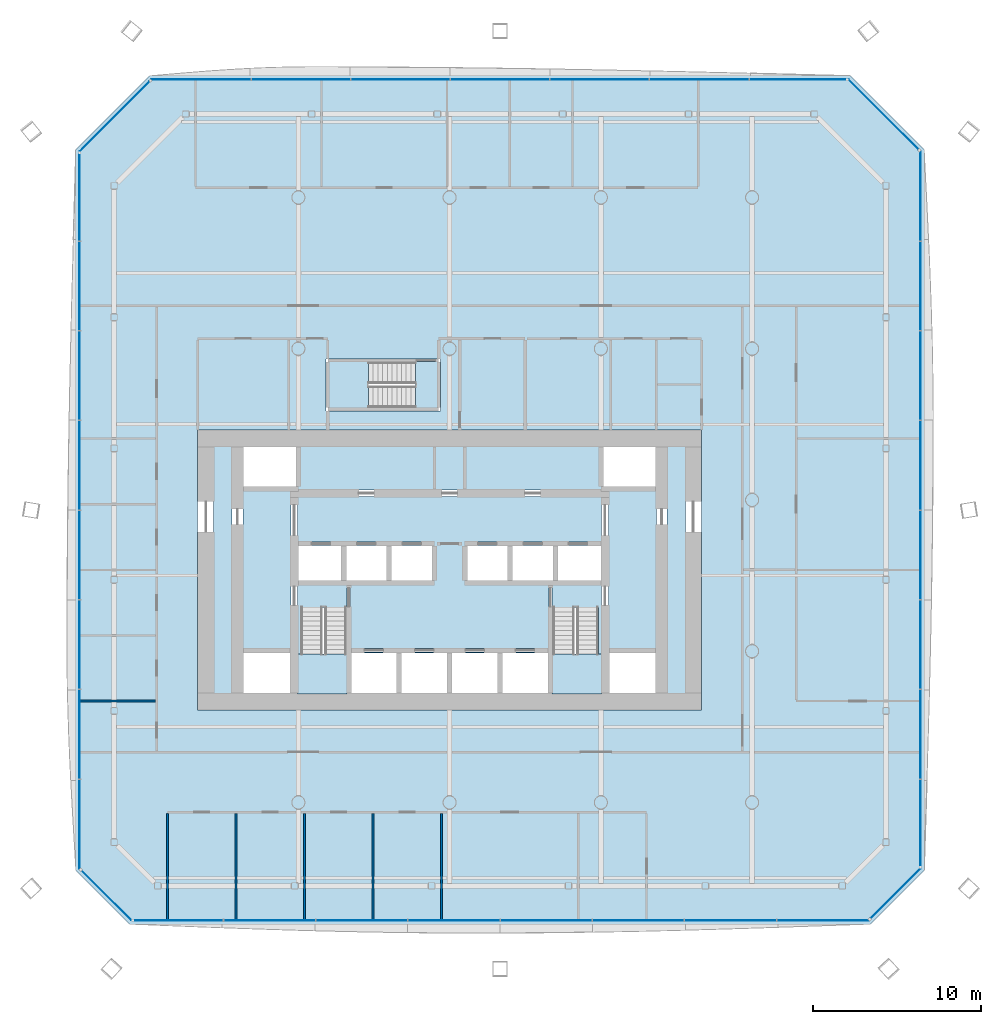
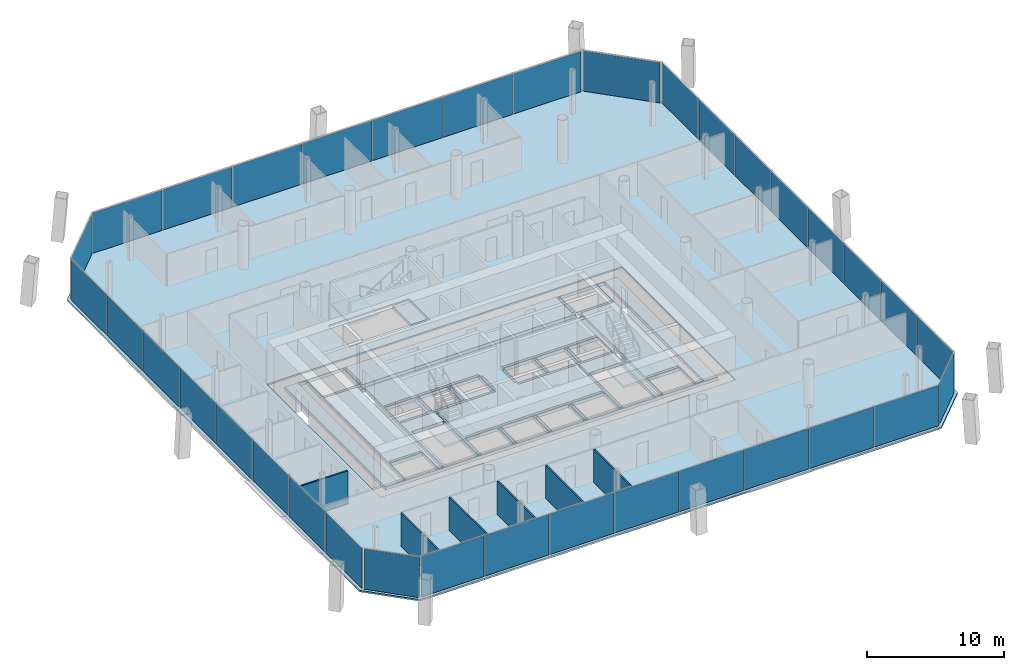
# One storey, part 10 of 19: 35 plates, 6 slabs, 6 walls, 11 elements without a shape of their own.
"""IFC4 building model written with IfcOpenShell, lengths in metres."""

from ifc_helpers import new_model, si_unit, direction, frame, frame_2d, origin, origin_2d, place, context, subcontext, project, spatial, polyline, rectangle, outline, extrude, material, layer, layer_set, type_object, element, aggregate, save


model = new_model("IFC4")

# Units and contexts
model_context = context("Model", 3, precision=1e-05, world=origin(), true_north=direction((0.0, 1.0)))
body_context = subcontext(model_context, "Body", "Model", "MODEL_VIEW")
ifc_project = project(units=[si_unit("LENGTHUNIT", "METRE"), si_unit("AREAUNIT", "SQUARE_METRE"), si_unit("VOLUMEUNIT", "CUBIC_METRE"), si_unit("PLANEANGLEUNIT", "RADIAN"), si_unit("MASSUNIT", "GRAM", prefix="KILO")], contexts=[model_context])

# Site, building, storey
site_placement = place(None, origin())
site = spatial("IfcSite", under=ifc_project, at=site_placement, CompositionType="ELEMENT")
building_placement = place(site_placement, origin())
building = spatial("IfcBuilding", under=site, at=building_placement, Name="Tskaro Facet Tower", CompositionType="ELEMENT")
storey_placement = place(building_placement, frame((0.0, 0.0, 77.699951171875)))
storey = spatial("IfcBuildingStorey", under=building, at=storey_placement, Name="L18", CompositionType="ELEMENT", Elevation=77.699951171875)

# Slab
ifc_material_1 = material(Name="Concrete C30/37", Category="concrete")
ifc_layer_1 = layer(ifc_material_1, 0.139892578125, Name="Concrete C30/37")
ifc_layer_set_1 = layer_set([ifc_layer_1], Name="Concrete C30/37")
slab_type_1 = type_object("IfcSlabType", Name="Composite deck floor slab", PredefinedType="FLOOR", material=ifc_layer_set_1)
slab_1_placement = place(storey_placement, frame((0.0, 0.0, -0.139892578125)))
element("IfcSlab", 1, at=slab_1_placement, inside=storey, type_object=slab_type_1, Name="Floor slab FS3 L18", PredefinedType="FLOOR", context=body_context, shape_type="SweptSolid", body=[
    extrude(outline(polyline([(-19.04296875, -25.260986328125), (25.04296875, -25.260986328125), (28.260986328125, -22.04296875), (28.260986328125, 20.847900390625), (23.847900390625, 25.260986328125), (-17.847900390625, 25.260986328125), (-22.260986328125, 20.847900390625), (-22.260986328125, -22.04296875), (-19.04296875, -25.260986328125)]), holes=[polyline([(-15.0, -12.5), (15.0, -12.5), (15.0, 4.14990234375), (-15.0, 4.14990234375), (-15.0, -12.5)]), polyline([(-7.35009765625, 5.300048828125), (-0.550048828125, 5.300048828125), (-0.550048828125, 8.39990234375), (-7.35009765625, 8.39990234375), (-7.35009765625, 5.300048828125)])]), origin(), (0.0, 0.0, 1.0), 0.139892578125),
])

# Curtain wall, plates
ifc_material_2 = material(Name="Bronze anodised aluminium 6063-T6", Category="aluminium")
curtain_wall_type = type_object("IfcCurtainWallType", Name="Bronze office curtain wall (FW1)", PredefinedType="NOTDEFINED", material=ifc_material_2)
curtain_wall_1_placement = place(storey_placement, origin())
curtain_wall_1 = element("IfcCurtainWall", 2, at=curtain_wall_1_placement, inside=storey, type_object=curtain_wall_type, Name="FW1 south facet L18", PredefinedType="NOTDEFINED")
ifc_material_3 = material(Name="Bronze tinted glass", Category="glass")
ifc_layer_2 = layer(ifc_material_3, 0.031982421875, Name="Bronze tinted glass")
ifc_layer_set_2 = layer_set([ifc_layer_2], Name="Bronze tinted glass")
plate_type = type_object("IfcPlateType", Name="FW1 bronze-tinted unit glazing 32", PredefinedType="CURTAIN_PANEL", material=ifc_layer_set_2)
plate_1_placement = place(storey_placement, frame((-16.131591796875, -25.010986328125, 0.0), z_axis=(0.0, 0.0, 1.0), x_axis=(1.0, 0.0, 0.0)))
plate_1 = element("IfcPlate", 3, at=plate_1_placement, type_object=plate_type, Name="FW1 south glazing 1.1", PredefinedType="CURTAIN_PANEL", context=body_context, shape_type="SweptSolid", body=[
    extrude(rectangle(XDim=5.294677734375, YDim=0.031982421875, at=origin_2d()), origin(), (0.0, 0.0, 1.0), 3.60009765625),
])
plate_2_placement = place(storey_placement, frame((-10.7119140625, -25.010986328125, 0.0), z_axis=(0.0, 0.0, 1.0), x_axis=(1.0, 0.0, 0.0)))
plate_2 = element("IfcPlate", 4, at=plate_2_placement, type_object=plate_type, Name="FW1 south glazing 2.1", PredefinedType="CURTAIN_PANEL", context=body_context, shape_type="SweptSolid", body=[
    extrude(rectangle(XDim=5.4248046875, YDim=0.031982421875, at=origin_2d()), origin(), (0.0, 0.0, 1.0), 3.60009765625),
])
plate_3_placement = place(storey_placement, frame((-5.22705078125, -25.010986328125, 0.0), z_axis=(0.0, 0.0, 1.0), x_axis=(1.0, 0.0, 0.0)))
plate_3 = element("IfcPlate", 5, at=plate_3_placement, type_object=plate_type, Name="FW1 south glazing 3.1", PredefinedType="CURTAIN_PANEL", context=body_context, shape_type="SweptSolid", body=[
    extrude(rectangle(XDim=5.4248046875, YDim=0.031982421875, at=origin_2d()), origin(), (0.0, 0.0, 1.0), 3.60009765625),
])
plate_4_placement = place(storey_placement, frame((0.257568359375, -25.010986328125, 0.0), z_axis=(0.0, 0.0, 1.0), x_axis=(1.0, 0.0, 0.0)))
plate_4 = element("IfcPlate", 6, at=plate_4_placement, type_object=plate_type, Name="FW1 south glazing 4.1", PredefinedType="CURTAIN_PANEL", context=body_context, shape_type="SweptSolid", body=[
    extrude(rectangle(XDim=5.4248046875, YDim=0.031982421875, at=origin_2d()), origin(), (0.0, 0.0, 1.0), 3.60009765625),
])
plate_5_placement = place(storey_placement, frame((5.742431640625, -25.010986328125, 0.0), z_axis=(0.0, 0.0, 1.0), x_axis=(1.0, 0.0, 0.0)))
plate_5 = element("IfcPlate", 7, at=plate_5_placement, type_object=plate_type, Name="FW1 south glazing 5.1", PredefinedType="CURTAIN_PANEL", context=body_context, shape_type="SweptSolid", body=[
    extrude(rectangle(XDim=5.4248046875, YDim=0.031982421875, at=origin_2d()), origin(), (0.0, 0.0, 1.0), 3.60009765625),
])
plate_6_placement = place(storey_placement, frame((11.22705078125, -25.010986328125, 0.0), z_axis=(0.0, 0.0, 1.0), x_axis=(1.0, 0.0, 0.0)))
plate_6 = element("IfcPlate", 8, at=plate_6_placement, type_object=plate_type, Name="FW1 south glazing 6.1", PredefinedType="CURTAIN_PANEL", context=body_context, shape_type="SweptSolid", body=[
    extrude(rectangle(XDim=5.4248046875, YDim=0.031982421875, at=origin_2d()), origin(), (0.0, 0.0, 1.0), 3.60009765625),
])
plate_7_placement = place(storey_placement, frame((16.7119140625, -25.010986328125, 0.0), z_axis=(0.0, 0.0, 1.0), x_axis=(1.0, 0.0, 0.0)))
plate_7 = element("IfcPlate", 9, at=plate_7_placement, type_object=plate_type, Name="FW1 south glazing 7.1", PredefinedType="CURTAIN_PANEL", context=body_context, shape_type="SweptSolid", body=[
    extrude(rectangle(XDim=5.4248046875, YDim=0.031982421875, at=origin_2d()), origin(), (0.0, 0.0, 1.0), 3.60009765625),
])
plate_8_placement = place(storey_placement, frame((22.211669921875, -25.010986328125, 0.0), z_axis=(0.0, 0.0, 1.0), x_axis=(1.0, 0.0, 0.0)))
plate_8 = element("IfcPlate", 10, at=plate_8_placement, type_object=plate_type, Name="FW1 south glazing 8.1", PredefinedType="CURTAIN_PANEL", context=body_context, shape_type="SweptSolid", body=[
    extrude(rectangle(XDim=5.454833984375, YDim=0.031982421875, at=origin_2d()), origin(), (0.0, 0.0, 1.0), 3.60009765625),
])
aggregate(curtain_wall_1, [plate_1, plate_2, plate_3, plate_4, plate_5, plate_6, plate_7, plate_8])

# Curtain wall, plate
curtain_wall_2_placement = place(storey_placement, origin())
curtain_wall_2 = element("IfcCurtainWall", 11, at=curtain_wall_2_placement, inside=storey, type_object=curtain_wall_type, Name="FW1 south-east facet L18", PredefinedType="NOTDEFINED")
plate_9_placement = place(storey_placement, frame((26.531494140625, -23.41845703125, 0.0), z_axis=(0.0, 0.0, 1.0), x_axis=(0.707106781187, 0.707106781187, 0.0)))
plate_9 = element("IfcPlate", 12, at=plate_9_placement, type_object=plate_type, Name="FW1 south-east glazing 1.1", PredefinedType="CURTAIN_PANEL", context=body_context, shape_type="SweptSolid", body=[
    extrude(rectangle(XDim=4.1845703125, YDim=0.031982421875, at=origin_2d()), origin(), (0.0, 0.0, 1.0), 3.60009765625),
])
aggregate(curtain_wall_2, [plate_9])

# Curtain wall, plates
curtain_wall_3_placement = place(storey_placement, origin())
curtain_wall_3 = element("IfcCurtainWall", 13, at=curtain_wall_3_placement, inside=storey, type_object=curtain_wall_type, Name="FW1 east facet L18", PredefinedType="NOTDEFINED")
plate_10_placement = place(storey_placement, frame((28.010986328125, -19.206298828125, 0.0), z_axis=(0.0, 0.0, 1.0), x_axis=(0.0, 1.0, 0.0)))
plate_10 = element("IfcPlate", 14, at=plate_10_placement, type_object=plate_type, Name="FW1 east glazing 1.1", PredefinedType="CURTAIN_PANEL", context=body_context, shape_type="SweptSolid", body=[
    extrude(rectangle(XDim=5.145263671875, YDim=0.031982421875, at=origin_2d()), origin(), (0.0, 0.0, 1.0), 3.60009765625),
])
plate_11_placement = place(storey_placement, frame((28.010986328125, -13.93603515625, 0.0), z_axis=(0.0, 0.0, 1.0), x_axis=(0.0, 1.0, 0.0)))
plate_11 = element("IfcPlate", 15, at=plate_11_placement, type_object=plate_type, Name="FW1 east glazing 2.1", PredefinedType="CURTAIN_PANEL", context=body_context, shape_type="SweptSolid", body=[
    extrude(rectangle(XDim=5.275390625, YDim=0.031982421875, at=origin_2d()), origin(), (0.0, 0.0, 1.0), 3.60009765625),
])
plate_12_placement = place(storey_placement, frame((28.010986328125, -8.6005859375, 0.0), z_axis=(0.0, 0.0, 1.0), x_axis=(0.0, 1.0, 0.0)))
plate_12 = element("IfcPlate", 16, at=plate_12_placement, type_object=plate_type, Name="FW1 east glazing 3.1", PredefinedType="CURTAIN_PANEL", context=body_context, shape_type="SweptSolid", body=[
    extrude(rectangle(XDim=5.275390625, YDim=0.031982421875, at=origin_2d()), origin(), (0.0, 0.0, 1.0), 3.60009765625),
])
plate_13_placement = place(storey_placement, frame((28.010986328125, -3.26513671875, 0.0), z_axis=(0.0, 0.0, 1.0), x_axis=(0.0, 1.0, 0.0)))
plate_13 = element("IfcPlate", 17, at=plate_13_placement, type_object=plate_type, Name="FW1 east glazing 4.1", PredefinedType="CURTAIN_PANEL", context=body_context, shape_type="SweptSolid", body=[
    extrude(rectangle(XDim=5.275390625, YDim=0.031982421875, at=origin_2d()), origin(), (0.0, 0.0, 1.0), 3.60009765625),
])
plate_14_placement = place(storey_placement, frame((28.010986328125, 2.070068359375, 0.0), z_axis=(0.0, 0.0, 1.0), x_axis=(0.0, 1.0, 0.0)))
plate_14 = element("IfcPlate", 18, at=plate_14_placement, type_object=plate_type, Name="FW1 east glazing 5.1", PredefinedType="CURTAIN_PANEL", context=body_context, shape_type="SweptSolid", body=[
    extrude(rectangle(XDim=5.275390625, YDim=0.031982421875, at=origin_2d()), origin(), (0.0, 0.0, 1.0), 3.60009765625),
])
plate_15_placement = place(storey_placement, frame((28.010986328125, 7.405517578125, 0.0), z_axis=(0.0, 0.0, 1.0), x_axis=(0.0, 1.0, 0.0)))
plate_15 = element("IfcPlate", 19, at=plate_15_placement, type_object=plate_type, Name="FW1 east glazing 6.1", PredefinedType="CURTAIN_PANEL", context=body_context, shape_type="SweptSolid", body=[
    extrude(rectangle(XDim=5.275390625, YDim=0.031982421875, at=origin_2d()), origin(), (0.0, 0.0, 1.0), 3.60009765625),
])
plate_16_placement = place(storey_placement, frame((28.010986328125, 12.740966796875, 0.0), z_axis=(0.0, 0.0, 1.0), x_axis=(0.0, 1.0, 0.0)))
plate_16 = element("IfcPlate", 20, at=plate_16_placement, type_object=plate_type, Name="FW1 east glazing 7.1", PredefinedType="CURTAIN_PANEL", context=body_context, shape_type="SweptSolid", body=[
    extrude(rectangle(XDim=5.275390625, YDim=0.031982421875, at=origin_2d()), origin(), (0.0, 0.0, 1.0), 3.60009765625),
])
plate_17_placement = place(storey_placement, frame((28.010986328125, 18.09130859375, 0.0), z_axis=(0.0, 0.0, 1.0), x_axis=(0.0, 1.0, 0.0)))
plate_17 = element("IfcPlate", 21, at=plate_17_placement, type_object=plate_type, Name="FW1 east glazing 8.1", PredefinedType="CURTAIN_PANEL", context=body_context, shape_type="SweptSolid", body=[
    extrude(rectangle(XDim=5.305419921875, YDim=0.031982421875, at=origin_2d()), origin(), (0.0, 0.0, 1.0), 3.60009765625),
])
aggregate(curtain_wall_3, [plate_10, plate_11, plate_12, plate_13, plate_14, plate_15, plate_16, plate_17])

# Curtain wall, plate
curtain_wall_4_placement = place(storey_placement, origin())
curtain_wall_4 = element("IfcCurtainWall", 22, at=curtain_wall_4_placement, inside=storey, type_object=curtain_wall_type, Name="FW1 north-east facet L18", PredefinedType="NOTDEFINED")
plate_18_placement = place(storey_placement, frame((25.821044921875, 22.93408203125, 0.0), z_axis=(0.0, 0.0, 1.0), x_axis=(-0.707106781187, 0.707106781187, 0.0)))
plate_18 = element("IfcPlate", 23, at=plate_18_placement, type_object=plate_type, Name="FW1 north-east glazing 1.1", PredefinedType="CURTAIN_PANEL", context=body_context, shape_type="SweptSolid", body=[
    extrude(rectangle(XDim=5.87451171875, YDim=0.031982421875, at=origin_2d()), origin(), (0.0, 0.0, 1.0), 3.60009765625),
])
aggregate(curtain_wall_4, [plate_18])

# Curtain wall, plates
curtain_wall_5_placement = place(storey_placement, origin())
curtain_wall_5 = element("IfcCurtainWall", 24, at=curtain_wall_5_placement, inside=storey, type_object=curtain_wall_type, Name="FW1 north facet L18", PredefinedType="NOTDEFINED")
plate_19_placement = place(storey_placement, frame((20.715576171875, 25.010986328125, 0.0), z_axis=(0.0, 0.0, 1.0), x_axis=(-1.0, 0.0, 0.0)))
plate_19 = element("IfcPlate", 25, at=plate_19_placement, type_object=plate_type, Name="FW1 north glazing 1.1", PredefinedType="CURTAIN_PANEL", context=body_context, shape_type="SweptSolid", body=[
    extrude(rectangle(XDim=5.73681640625, YDim=0.031982421875, at=origin_2d()), origin(), (0.0, 0.0, 1.0), 3.60009765625),
])
plate_20_placement = place(storey_placement, frame((14.853759765625, 25.010986328125, 0.0), z_axis=(0.0, 0.0, 1.0), x_axis=(-1.0, 0.0, 0.0)))
plate_20 = element("IfcPlate", 26, at=plate_20_placement, type_object=plate_type, Name="FW1 north glazing 2.1", PredefinedType="CURTAIN_PANEL", context=body_context, shape_type="SweptSolid", body=[
    extrude(rectangle(XDim=5.866943359375, YDim=0.031982421875, at=origin_2d()), origin(), (0.0, 0.0, 1.0), 3.60009765625),
])
plate_21_placement = place(storey_placement, frame((8.9267578125, 25.010986328125, 0.0), z_axis=(0.0, 0.0, 1.0), x_axis=(-1.0, 0.0, 0.0)))
plate_21 = element("IfcPlate", 27, at=plate_21_placement, type_object=plate_type, Name="FW1 north glazing 3.1", PredefinedType="CURTAIN_PANEL", context=body_context, shape_type="SweptSolid", body=[
    extrude(rectangle(XDim=5.866943359375, YDim=0.031982421875, at=origin_2d()), origin(), (0.0, 0.0, 1.0), 3.60009765625),
])
plate_22_placement = place(storey_placement, frame((3.0, 25.010986328125, 0.0), z_axis=(0.0, 0.0, 1.0), x_axis=(-1.0, 0.0, 0.0)))
plate_22 = element("IfcPlate", 28, at=plate_22_placement, type_object=plate_type, Name="FW1 north glazing 4.1", PredefinedType="CURTAIN_PANEL", context=body_context, shape_type="SweptSolid", body=[
    extrude(rectangle(XDim=5.866943359375, YDim=0.031982421875, at=origin_2d()), origin(), (0.0, 0.0, 1.0), 3.60009765625),
])
plate_23_placement = place(storey_placement, frame((-2.9267578125, 25.010986328125, 0.0), z_axis=(0.0, 0.0, 1.0), x_axis=(-1.0, 0.0, 0.0)))
plate_23 = element("IfcPlate", 29, at=plate_23_placement, type_object=plate_type, Name="FW1 north glazing 5.1", PredefinedType="CURTAIN_PANEL", context=body_context, shape_type="SweptSolid", body=[
    extrude(rectangle(XDim=5.866943359375, YDim=0.031982421875, at=origin_2d()), origin(), (0.0, 0.0, 1.0), 3.60009765625),
])
plate_24_placement = place(storey_placement, frame((-8.853759765625, 25.010986328125, 0.0), z_axis=(0.0, 0.0, 1.0), x_axis=(-1.0, 0.0, 0.0)))
plate_24 = element("IfcPlate", 30, at=plate_24_placement, type_object=plate_type, Name="FW1 north glazing 6.1", PredefinedType="CURTAIN_PANEL", context=body_context, shape_type="SweptSolid", body=[
    extrude(rectangle(XDim=5.866943359375, YDim=0.031982421875, at=origin_2d()), origin(), (0.0, 0.0, 1.0), 3.60009765625),
])
plate_25_placement = place(storey_placement, frame((-14.795654296875, 25.010986328125, 0.0), z_axis=(0.0, 0.0, 1.0), x_axis=(-1.0, 0.0, 0.0)))
plate_25 = element("IfcPlate", 31, at=plate_25_placement, type_object=plate_type, Name="FW1 north glazing 7.1", PredefinedType="CURTAIN_PANEL", context=body_context, shape_type="SweptSolid", body=[
    extrude(rectangle(XDim=5.89697265625, YDim=0.031982421875, at=origin_2d()), origin(), (0.0, 0.0, 1.0), 3.60009765625),
])
aggregate(curtain_wall_5, [plate_19, plate_20, plate_21, plate_22, plate_23, plate_24, plate_25])

# Curtain wall, plate
curtain_wall_6_placement = place(storey_placement, origin())
curtain_wall_6 = element("IfcCurtainWall", 32, at=curtain_wall_6_placement, inside=storey, type_object=curtain_wall_type, Name="FW1 north-west facet L18", PredefinedType="NOTDEFINED")
plate_26_placement = place(storey_placement, frame((-19.93408203125, 22.821044921875, 0.0), z_axis=(0.0, 0.0, 1.0), x_axis=(-0.707106781187, -0.707106781187, 0.0)))
plate_26 = element("IfcPlate", 33, at=plate_26_placement, type_object=plate_type, Name="FW1 north-west glazing 1.1", PredefinedType="CURTAIN_PANEL", context=body_context, shape_type="SweptSolid", body=[
    extrude(rectangle(XDim=5.87451171875, YDim=0.031982421875, at=origin_2d()), origin(), (0.0, 0.0, 1.0), 3.60009765625),
])
aggregate(curtain_wall_6, [plate_26])

# Curtain wall, plates
curtain_wall_7_placement = place(storey_placement, origin())
curtain_wall_7 = element("IfcCurtainWall", 34, at=curtain_wall_7_placement, inside=storey, type_object=curtain_wall_type, Name="FW1 west facet L18", PredefinedType="NOTDEFINED")
plate_27_placement = place(storey_placement, frame((-22.010986328125, 18.01123046875, 0.0), z_axis=(0.0, 0.0, 1.0), x_axis=(0.0, -1.0, 0.0)))
plate_27 = element("IfcPlate", 35, at=plate_27_placement, type_object=plate_type, Name="FW1 west glazing 1.1", PredefinedType="CURTAIN_PANEL", context=body_context, shape_type="SweptSolid", body=[
    extrude(rectangle(XDim=5.145263671875, YDim=0.031982421875, at=origin_2d()), origin(), (0.0, 0.0, 1.0), 3.60009765625),
])
plate_28_placement = place(storey_placement, frame((-22.010986328125, 12.740966796875, 0.0), z_axis=(0.0, 0.0, 1.0), x_axis=(0.0, -1.0, 0.0)))
plate_28 = element("IfcPlate", 36, at=plate_28_placement, type_object=plate_type, Name="FW1 west glazing 2.1", PredefinedType="CURTAIN_PANEL", context=body_context, shape_type="SweptSolid", body=[
    extrude(rectangle(XDim=5.275390625, YDim=0.031982421875, at=origin_2d()), origin(), (0.0, 0.0, 1.0), 3.60009765625),
])
plate_29_placement = place(storey_placement, frame((-22.010986328125, 7.405517578125, 0.0), z_axis=(0.0, 0.0, 1.0), x_axis=(0.0, -1.0, 0.0)))
plate_29 = element("IfcPlate", 37, at=plate_29_placement, type_object=plate_type, Name="FW1 west glazing 3.1", PredefinedType="CURTAIN_PANEL", context=body_context, shape_type="SweptSolid", body=[
    extrude(rectangle(XDim=5.275390625, YDim=0.031982421875, at=origin_2d()), origin(), (0.0, 0.0, 1.0), 3.60009765625),
])
plate_30_placement = place(storey_placement, frame((-22.010986328125, 2.070068359375, 0.0), z_axis=(0.0, 0.0, 1.0), x_axis=(0.0, -1.0, 0.0)))
plate_30 = element("IfcPlate", 38, at=plate_30_placement, type_object=plate_type, Name="FW1 west glazing 4.1", PredefinedType="CURTAIN_PANEL", context=body_context, shape_type="SweptSolid", body=[
    extrude(rectangle(XDim=5.275390625, YDim=0.031982421875, at=origin_2d()), origin(), (0.0, 0.0, 1.0), 3.60009765625),
])
plate_31_placement = place(storey_placement, frame((-22.010986328125, -3.26513671875, 0.0), z_axis=(0.0, 0.0, 1.0), x_axis=(0.0, -1.0, 0.0)))
plate_31 = element("IfcPlate", 39, at=plate_31_placement, type_object=plate_type, Name="FW1 west glazing 5.1", PredefinedType="CURTAIN_PANEL", context=body_context, shape_type="SweptSolid", body=[
    extrude(rectangle(XDim=5.275390625, YDim=0.031982421875, at=origin_2d()), origin(), (0.0, 0.0, 1.0), 3.60009765625),
])
plate_32_placement = place(storey_placement, frame((-22.010986328125, -8.6005859375, 0.0), z_axis=(0.0, 0.0, 1.0), x_axis=(0.0, -1.0, 0.0)))
plate_32 = element("IfcPlate", 40, at=plate_32_placement, type_object=plate_type, Name="FW1 west glazing 6.1", PredefinedType="CURTAIN_PANEL", context=body_context, shape_type="SweptSolid", body=[
    extrude(rectangle(XDim=5.275390625, YDim=0.031982421875, at=origin_2d()), origin(), (0.0, 0.0, 1.0), 3.60009765625),
])
plate_33_placement = place(storey_placement, frame((-22.010986328125, -13.93603515625, 0.0), z_axis=(0.0, 0.0, 1.0), x_axis=(0.0, -1.0, 0.0)))
plate_33 = element("IfcPlate", 41, at=plate_33_placement, type_object=plate_type, Name="FW1 west glazing 7.1", PredefinedType="CURTAIN_PANEL", context=body_context, shape_type="SweptSolid", body=[
    extrude(rectangle(XDim=5.275390625, YDim=0.031982421875, at=origin_2d()), origin(), (0.0, 0.0, 1.0), 3.60009765625),
])
plate_34_placement = place(storey_placement, frame((-22.010986328125, -19.286376953125, 0.0), z_axis=(0.0, 0.0, 1.0), x_axis=(0.0, -1.0, 0.0)))
plate_34 = element("IfcPlate", 42, at=plate_34_placement, type_object=plate_type, Name="FW1 west glazing 8.1", PredefinedType="CURTAIN_PANEL", context=body_context, shape_type="SweptSolid", body=[
    extrude(rectangle(XDim=5.305419921875, YDim=0.031982421875, at=origin_2d()), origin(), (0.0, 0.0, 1.0), 3.60009765625),
])
aggregate(curtain_wall_7, [plate_27, plate_28, plate_29, plate_30, plate_31, plate_32, plate_33, plate_34])

# Curtain wall, plate
curtain_wall_8_placement = place(storey_placement, origin())
curtain_wall_8 = element("IfcCurtainWall", 43, at=curtain_wall_8_placement, inside=storey, type_object=curtain_wall_type, Name="FW1 south-west facet L18", PredefinedType="NOTDEFINED")
plate_35_placement = place(storey_placement, frame((-20.41845703125, -23.531494140625, 0.0), z_axis=(0.0, 0.0, 1.0), x_axis=(0.707106781187, -0.707106781187, 0.0)))
plate_35 = element("IfcPlate", 44, at=plate_35_placement, type_object=plate_type, Name="FW1 south-west glazing 1.1", PredefinedType="CURTAIN_PANEL", context=body_context, shape_type="SweptSolid", body=[
    extrude(rectangle(XDim=4.1845703125, YDim=0.031982421875, at=origin_2d()), origin(), (0.0, 0.0, 1.0), 3.60009765625),
])
aggregate(curtain_wall_8, [plate_35])

# Stair, slab
ifc_material_4 = material(Name="Concrete C40/50", Category="concrete")
stair_type = type_object("IfcStairType", Name="ST-TWR", PredefinedType="HALF_TURN_STAIR", material=ifc_material_4)
stair_1_placement = place(storey_placement, origin())
stair_1 = element("IfcStair", 45, at=stair_1_placement, inside=storey, type_object=stair_type, Name="L18 Exit stair 1", PredefinedType="HALF_TURN_STAIR")
ifc_layer_3 = layer(ifc_material_4, 0.199951171875, Name="Concrete C40/50")
ifc_layer_set_3 = layer_set([ifc_layer_3], Name="Concrete C40/50")
slab_type_2 = type_object("IfcSlabType", Name="SL-LANDING", PredefinedType="LANDING", material=ifc_layer_set_3)
slab_2_placement = place(storey_placement, frame((0.0, 0.0, 1.75)))
slab_2 = element("IfcSlab", 46, at=slab_2_placement, type_object=slab_type_2, Name="ST-1 landing 1", PredefinedType="LANDING", context=body_context, shape_type="SweptSolid", body=[
    extrude(outline(polyline([(-9.050048828125, -11.550048828125), (-6.10009765625, -11.550048828125), (-6.10009765625, -9.175048828125), (-9.050048828125, -9.175048828125), (-9.050048828125, -11.550048828125)])), origin(), (0.0, 0.0, 1.0), 0.199951171875),
])
aggregate(stair_1, [slab_2])

stair_2_placement = place(storey_placement, origin())
stair_2 = element("IfcStair", 47, at=stair_2_placement, inside=storey, type_object=stair_type, Name="L18 Exit stair 2", PredefinedType="HALF_TURN_STAIR")
slab_3_placement = place(storey_placement, frame((0.0, 0.0, 1.75)))
slab_3 = element("IfcSlab", 48, at=slab_3_placement, type_object=slab_type_2, Name="ST-2 landing 1", PredefinedType="LANDING", context=body_context, shape_type="SweptSolid", body=[
    extrude(outline(polyline([(6.10009765625, -11.550048828125), (9.050048828125, -11.550048828125), (9.050048828125, -9.175048828125), (6.10009765625, -9.175048828125), (6.10009765625, -11.550048828125)])), origin(), (0.0, 0.0, 1.0), 0.199951171875),
])
aggregate(stair_2, [slab_3])

stair_3_placement = place(storey_placement, origin())
stair_3 = element("IfcStair", 49, at=stair_3_placement, inside=storey, type_object=stair_type, Name="L18 Exit stair 3", PredefinedType="HALF_TURN_STAIR")
slab_4_placement = place(storey_placement, frame((0.0, 0.0, 1.75)))
slab_4 = element("IfcSlab", 50, at=slab_4_placement, type_object=slab_type_2, Name="ST-3 landing 1", PredefinedType="LANDING", context=body_context, shape_type="SweptSolid", body=[
    extrude(outline(polyline([(-7.199951171875, 5.449951171875), (-4.824951171875, 5.449951171875), (-4.824951171875, 8.25), (-7.199951171875, 8.25), (-7.199951171875, 5.449951171875)])), origin(), (0.0, 0.0, 1.0), 0.199951171875),
])
aggregate(stair_3, [slab_4])

# Slabs
ifc_material_5 = material(Name="Concrete C60/75", Category="concrete")
ifc_layer_4 = layer(ifc_material_5, 0.300048828125, Name="Concrete C60/75")
ifc_layer_set_4 = layer_set([ifc_layer_4], Name="Concrete C60/75")
slab_type_3 = type_object("IfcSlabType", Name="SLAB-CORE", PredefinedType="FLOOR", material=ifc_layer_set_4)
slab_5_placement = place(storey_placement, frame((0.0, 0.0, -0.300048828125)))
element("IfcSlab", 51, at=slab_5_placement, inside=storey, type_object=slab_type_3, Name="Core floor slab 1", PredefinedType="FLOOR", context=body_context, shape_type="SweptSolid", body=[
    extrude(outline(polyline([(-14.050048828125, 3.199951171875), (14.050048828125, 3.199951171875), (14.050048828125, 3.10009765625), (14.050048828125, -11.449951171875), (14.050048828125, -11.550048828125), (-14.050048828125, -11.550048828125), (-14.050048828125, -11.449951171875), (-14.050048828125, 3.10009765625), (-14.050048828125, 3.199951171875)]), holes=[polyline([(-9.5, -9.10009765625), (-12.25, -9.10009765625), (-12.25, -11.5), (-9.5, -11.5), (-9.5, -9.10009765625)]), polyline([(-3.14990234375, -9.10009765625), (-5.85009765625, -9.10009765625), (-5.85009765625, -11.5), (-3.14990234375, -11.5), (-3.14990234375, -9.10009765625)]), polyline([(-12.199951171875, -8.85009765625), (-12.199951171875, -9.050048828125), (-9.550048828125, -9.050048828125), (-9.550048828125, -8.85009765625), (-12.199951171875, -8.85009765625)]), polyline([(-6.10009765625, -11.449951171875), (-5.89990234375, -11.449951171875), (-5.89990234375, -5.14990234375), (-6.10009765625, -5.14990234375), (-6.10009765625, -11.449951171875)]), polyline([(-9.449951171875, 0.10009765625), (-9.449951171875, -11.449951171875), (-9.050048828125, -11.449951171875), (-9.050048828125, 0.10009765625), (-9.449951171875, 0.10009765625)]), polyline([(-8.949951171875, -4.85009765625), (-8.949951171875, -5.050048828125), (-0.949951171875, -5.050048828125), (-0.949951171875, -4.85009765625), (-8.949951171875, -4.85009765625)]), polyline([(-12.949951171875, -11.449951171875), (-12.300048828125, -11.449951171875), (-12.300048828125, 3.10009765625), (-12.949951171875, 3.10009765625), (-12.949951171875, -11.449951171875)]), polyline([(-6.449951171875, -4.800048828125), (-6.449951171875, -2.75), (-9.0, -2.75), (-9.0, -4.800048828125), (-6.449951171875, -4.800048828125)]), polyline([(-3.75, -2.75), (-6.14990234375, -2.75), (-6.14990234375, -4.800048828125), (-3.75, -4.800048828125), (-3.75, -2.75)]), polyline([(-6.39990234375, -2.800048828125), (-6.39990234375, -4.75), (-6.199951171875, -4.75), (-6.199951171875, -2.800048828125), (-6.39990234375, -2.800048828125)]), polyline([(-8.949951171875, -2.5), (-8.949951171875, -2.699951171875), (-0.949951171875, -2.699951171875), (-0.949951171875, -2.5), (-8.949951171875, -2.5)]), polyline([(9.449951171875, 0.550048828125), (12.199951171875, 0.550048828125), (12.199951171875, 0.75), (9.050048828125, 0.75), (9.050048828125, 0.60009765625), (-9.050048828125, 0.60009765625), (-9.050048828125, 0.75), (-12.199951171875, 0.75), (-12.199951171875, 0.550048828125), (-9.449951171875, 0.550048828125), (-9.449951171875, 0.199951171875), (9.449951171875, 0.199951171875), (9.449951171875, 0.550048828125)]), polyline([(-9.10009765625, 3.10009765625), (-9.10009765625, 0.85009765625), (-8.89990234375, 0.85009765625), (-8.89990234375, 3.10009765625), (-9.10009765625, 3.10009765625)]), polyline([(-9.14990234375, 0.800048828125), (-9.14990234375, 3.14990234375), (-12.25, 3.14990234375), (-12.25, 0.800048828125), (-9.14990234375, 0.800048828125)]), polyline([(2.89990234375, -11.449951171875), (3.10009765625, -11.449951171875), (3.10009765625, -9.14990234375), (2.89990234375, -9.14990234375), (2.89990234375, -11.449951171875)]), polyline([(-3.10009765625, -9.14990234375), (-3.10009765625, -11.449951171875), (-2.89990234375, -11.449951171875), (-2.89990234375, -9.14990234375), (-3.10009765625, -9.14990234375)]), polyline([(2.85009765625, -9.10009765625), (0.14990234375, -9.10009765625), (0.14990234375, -11.5), (2.85009765625, -11.5), (2.85009765625, -9.10009765625)]), polyline([(-0.14990234375, -9.10009765625), (-2.85009765625, -9.10009765625), (-2.85009765625, -11.5), (-0.14990234375, -11.5), (-0.14990234375, -9.10009765625)]), polyline([(-0.10009765625, -9.14990234375), (-0.10009765625, -11.449951171875), (0.10009765625, -11.449951171875), (0.10009765625, -9.14990234375), (-0.10009765625, -9.14990234375)]), polyline([(-5.800048828125, -8.85009765625), (-5.800048828125, -9.050048828125), (5.800048828125, -9.050048828125), (5.800048828125, -8.85009765625), (-5.800048828125, -8.85009765625)]), polyline([(-1.0, -2.800048828125), (-1.0, -4.75), (-0.800048828125, -4.75), (-0.800048828125, -2.800048828125), (-1.0, -2.800048828125)]), polyline([(0.800048828125, -4.75), (1.0, -4.75), (1.0, -2.800048828125), (0.800048828125, -2.800048828125), (0.800048828125, -4.75)]), polyline([(-1.050048828125, -4.800048828125), (-1.050048828125, -2.75), (-3.449951171875, -2.75), (-3.449951171875, -4.800048828125), (-1.050048828125, -4.800048828125)]), polyline([(1.050048828125, -2.75), (1.050048828125, -4.800048828125), (3.449951171875, -4.800048828125), (3.449951171875, -2.75), (1.050048828125, -2.75)]), polyline([(-3.699951171875, -4.75), (-3.5, -4.75), (-3.5, -2.800048828125), (-3.699951171875, -2.800048828125), (-3.699951171875, -4.75)]), polyline([(3.14990234375, -9.10009765625), (3.14990234375, -11.5), (5.85009765625, -11.5), (5.85009765625, -9.10009765625), (3.14990234375, -9.10009765625)]), polyline([(12.25, -11.5), (12.25, -9.10009765625), (9.5, -9.10009765625), (9.5, -11.5), (12.25, -11.5)]), polyline([(9.550048828125, -8.85009765625), (9.550048828125, -9.050048828125), (12.199951171875, -9.050048828125), (12.199951171875, -8.85009765625), (9.550048828125, -8.85009765625)]), polyline([(5.89990234375, -11.449951171875), (6.10009765625, -11.449951171875), (6.10009765625, -5.14990234375), (5.89990234375, -5.14990234375), (5.89990234375, -11.449951171875)]), polyline([(9.050048828125, 0.10009765625), (9.050048828125, -11.449951171875), (9.449951171875, -11.449951171875), (9.449951171875, 0.10009765625), (9.050048828125, 0.10009765625)]), polyline([(0.949951171875, -4.85009765625), (0.949951171875, -5.050048828125), (8.949951171875, -5.050048828125), (8.949951171875, -4.85009765625), (0.949951171875, -4.85009765625)]), polyline([(12.300048828125, -11.449951171875), (12.949951171875, -11.449951171875), (12.949951171875, 3.10009765625), (12.300048828125, 3.10009765625), (12.300048828125, -11.449951171875)]), polyline([(3.5, -2.800048828125), (3.5, -4.75), (3.699951171875, -4.75), (3.699951171875, -2.800048828125), (3.5, -2.800048828125)]), polyline([(6.14990234375, -2.75), (3.75, -2.75), (3.75, -4.800048828125), (6.14990234375, -4.800048828125), (6.14990234375, -2.75)]), polyline([(6.199951171875, -2.800048828125), (6.199951171875, -4.75), (6.39990234375, -4.75), (6.39990234375, -2.800048828125), (6.199951171875, -2.800048828125)]), polyline([(6.449951171875, -2.75), (6.449951171875, -4.800048828125), (9.0, -4.800048828125), (9.0, -2.75), (6.449951171875, -2.75)]), polyline([(0.949951171875, -2.5), (0.949951171875, -2.699951171875), (8.949951171875, -2.699951171875), (8.949951171875, -2.5), (0.949951171875, -2.5)]), polyline([(8.89990234375, 3.10009765625), (8.89990234375, 0.85009765625), (9.10009765625, 0.85009765625), (9.10009765625, 3.10009765625), (8.89990234375, 3.10009765625)]), polyline([(9.14990234375, 0.800048828125), (12.25, 0.800048828125), (12.25, 3.14990234375), (9.14990234375, 3.14990234375), (9.14990234375, 0.800048828125)]), polyline([(-8.85009765625, -11.5), (-6.14990234375, -11.5), (-6.14990234375, -6.39501953125), (-8.85009765625, -6.39501953125), (-8.85009765625, -11.5)]), polyline([(6.14990234375, -6.39501953125), (6.14990234375, -11.5), (8.85009765625, -11.5), (8.85009765625, -6.39501953125), (6.14990234375, -6.39501953125)])]), origin(), (0.0, 0.0, 1.0), 0.300048828125),
])
slab_6_placement = place(storey_placement, frame((0.0, 0.0, -0.300048828125)))
element("IfcSlab", 52, at=slab_6_placement, inside=storey, type_object=slab_type_3, Name="Stair 3 floor landing 1", PredefinedType="FLOOR", context=body_context, shape_type="SweptSolid", body=[
    extrude(outline(polyline([(-2.02490234375, 5.449951171875), (-0.699951171875, 5.449951171875), (-0.699951171875, 8.25), (-2.02490234375, 8.25), (-2.02490234375, 5.449951171875)])), origin(), (0.0, 0.0, 1.0), 0.300048828125),
])

# Walls
ifc_material_6 = material(Name="Gypsum board on steel studs", Category="steel")
ifc_layer_5 = layer(ifc_material_6, 0.125, Name="Gypsum board on steel studs")
ifc_layer_set_5 = layer_set([ifc_layer_5], Name="Gypsum board on steel studs")
wall_type = type_object("IfcWallType", Name="PART", PredefinedType="PARTITIONING", material=ifc_layer_set_5)
wall_placement = place(storey_placement, frame((-21.9609375, -11.972900390625, 0.0), z_axis=(0.0, 0.0, 1.0), x_axis=(1.0, 0.0, 0.0)))
element("IfcWall", 53, at=wall_placement, inside=storey, type_object=wall_type, Name="Partition W003", PredefinedType="PARTITIONING", context=body_context, shape_type="SweptSolid", body=[
    extrude(rectangle(XDim=4.4609375, YDim=0.125, at=frame_2d((2.23046875, 0.0))), origin(), (0.0, 0.0, 1.0), 2.9599609375),
])
for number, where, z_axis, x_axis, name in (
    (54, (-16.783935546875, -24.9609375, 0.0), (0.0, 0.0, 1.0), (0.0, 1.0, 0.0), "Partition W031"),
    (55, (-12.7109375, -24.9609375, 0.0), (0.0, 0.0, 1.0), (0.0, 1.0, 0.0), "Partition W034"),
    (56, (-8.637939453125, -24.9609375, 0.0), (0.0, 0.0, 1.0), (0.0, 1.0, 0.0), "Partition W037"),
    (57, (-4.56591796875, -24.9609375, 0.0), (0.0, 0.0, 1.0), (0.0, 1.0, 0.0), "Partition W044"),
    (58, (-0.492919921875, -24.9609375, 0.0), (0.0, 0.0, 1.0), (0.0, 1.0, 0.0), "Partition W051"),
):
    element("IfcWall", number, at=place(storey_placement, frame(where, z_axis=z_axis, x_axis=x_axis)), inside=storey, type_object=wall_type, Name=name, PredefinedType="PARTITIONING", context=body_context, shape_type="SweptSolid", body=[
        extrude(rectangle(XDim=6.318359375, YDim=0.125, at=frame_2d((3.1591796875, 0.0))), origin(), (0.0, 0.0, 1.0), 2.9599609375),
    ])

save(model, "model.ifc")
